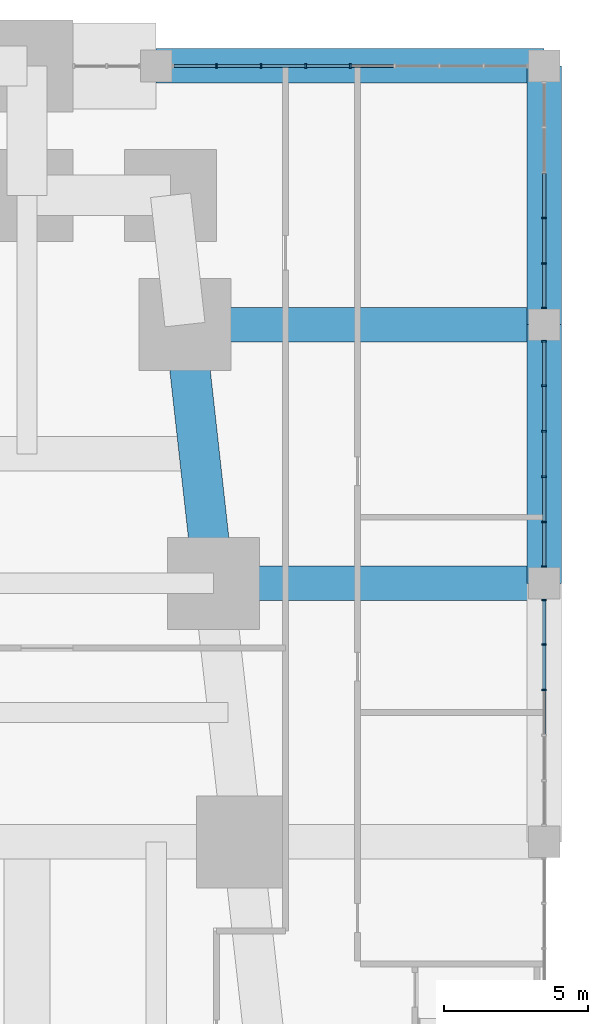
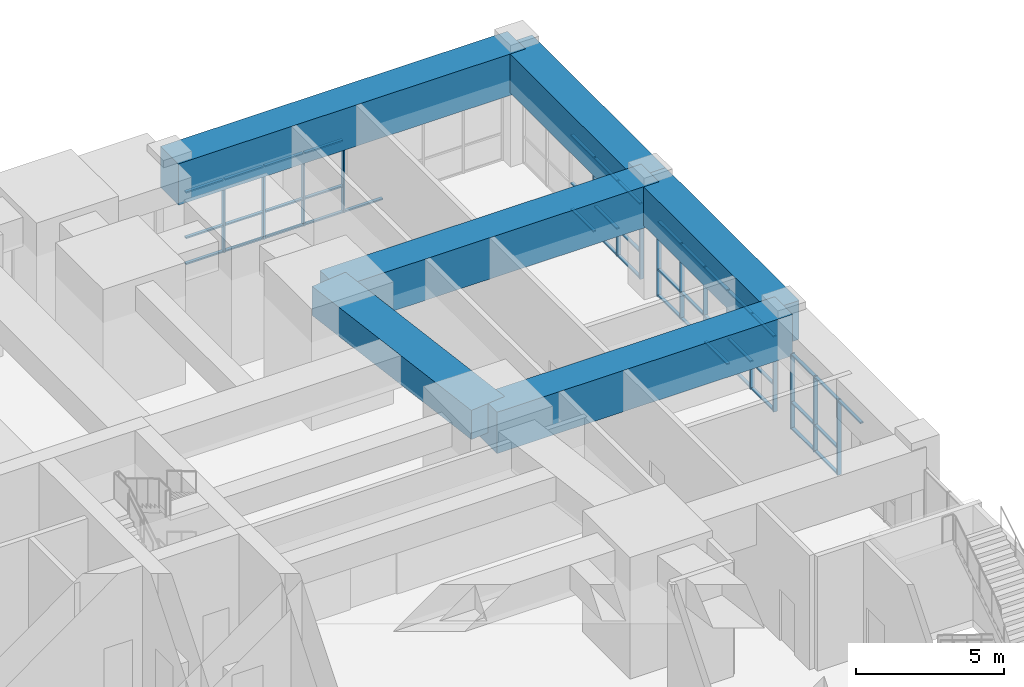
# One storey, part 15 of 27: 60 members, 6 beams, 4 elements without a shape of their own.
"""IFC4 building model written with IfcOpenShell, lengths in metres."""

from ifc_helpers import new_model, si_unit, direction, frame, origin, origin_2d, place, context, subcontext, project, spatial, rectangle, extrude, material, material_profile, profile_set, type_object, element, aggregate, save


model = new_model("IFC4")

# Units and contexts
model_context = context("Model", 3, precision=1e-05, world=origin(), true_north=direction((0.0, 1.0)))
body_context = subcontext(model_context, "Body", "Model", "MODEL_VIEW")
ifc_project = project(units=[si_unit("LENGTHUNIT", "METRE"), si_unit("AREAUNIT", "SQUARE_METRE"), si_unit("VOLUMEUNIT", "CUBIC_METRE"), si_unit("PLANEANGLEUNIT", "RADIAN"), si_unit("MASSUNIT", "GRAM", prefix="KILO")], contexts=[model_context])

# Site, building, storey
site_placement = place(None, origin())
site = spatial("IfcSite", under=ifc_project, at=site_placement, CompositionType="ELEMENT")
building_placement = place(site_placement, origin())
building = spatial("IfcBuilding", under=site, at=building_placement, Name="Kilele Tower Hotel", CompositionType="ELEMENT")
storey_placement = place(building_placement, frame((0.0, 0.0, 6.0)))
storey = spatial("IfcBuildingStorey", under=building, at=storey_placement, Name="L01", CompositionType="ELEMENT", Elevation=6.0)

# Beams
ifc_material_1 = material(Name="Concrete C60/75", Category="concrete")
ifc_material_profile_1 = material_profile(ifc_material_1, rectangle(XDim=1.199951171875, YDim=1.60009765625, at=origin_2d()))
ifc_profile_set_1 = profile_set([ifc_material_profile_1], Name="Concrete C60/75")
beam_type_1 = type_object("IfcBeamType", Name="Beam RC 1200x1600 C60/75", PredefinedType="BEAM", material=ifc_profile_set_1)
for number, where, z_axis, x_axis, name in (
    (1, (58.5, 22.5, 3.89990234375), (0.0, 1.0, 0.0), (-1.0, 0.0, 0.0), "Beam PB2 level L02"),
    (2, (58.5, 31.5, 3.89990234375), (0.0, 1.0, 0.0), (-1.0, 0.0, 0.0), "Beam PB2 level L02"),
):
    element("IfcBeam", number, at=place(storey_placement, frame(where, z_axis=z_axis, x_axis=x_axis)), inside=storey, type_object=beam_type_1, Name=name, PredefinedType="BEAM", context=body_context, shape_type="SweptSolid", body=[
        extrude(rectangle(XDim=1.199951171875, YDim=1.60009765625, at=origin_2d()), origin(), (0.0, 0.0, 1.0), 9.0),
    ])
ifc_material_2 = material(Name="Concrete C60/75", Category="concrete")
ifc_material_profile_2 = material_profile(ifc_material_2, rectangle(XDim=1.199951171875, YDim=1.699951171875, at=origin_2d()))
ifc_profile_set_2 = profile_set([ifc_material_profile_2], Name="Concrete C60/75")
beam_type_2 = type_object("IfcBeamType", Name="Beam RC 1200x1700 C60/75", PredefinedType="BEAM", material=ifc_profile_set_2)
beam_1_placement = place(storey_placement, frame((46.0, 31.5, 3.85009765625), z_axis=(1.0, 0.0, 0.0), x_axis=(0.0, 1.0, 0.0)))
element("IfcBeam", 3, at=beam_1_placement, inside=storey, type_object=beam_type_2, Name="Beam PB3 level L02", PredefinedType="BEAM", context=body_context, shape_type="SweptSolid", body=[
    extrude(rectangle(XDim=1.199951171875, YDim=1.699951171875, at=origin_2d()), origin(), (0.0, 0.0, 1.0), 12.5),
])
beam_2_placement = place(storey_placement, frame((45.0, 40.5, 3.85009765625), z_axis=(1.0, 0.0, 0.0), x_axis=(0.0, 1.0, 0.0)))
element("IfcBeam", 4, at=beam_2_placement, inside=storey, type_object=beam_type_2, Name="Beam PB3 level L02", PredefinedType="BEAM", context=body_context, shape_type="SweptSolid", body=[
    extrude(rectangle(XDim=1.199951171875, YDim=1.699951171875, at=origin_2d()), origin(), (0.0, 0.0, 1.0), 13.5),
])
ifc_material_3 = material(Name="Concrete C60/75", Category="concrete")
ifc_material_profile_3 = material_profile(ifc_material_3, rectangle(XDim=1.199951171875, YDim=1.699951171875, at=origin_2d()))
ifc_profile_set_3 = profile_set([ifc_material_profile_3], Name="Concrete C60/75")
beam_type_3 = type_object("IfcBeamType", Name="Beam RC 1200x1700 C60/75 mid span", PredefinedType="BEAM", material=ifc_profile_set_3)
beam_3_placement = place(storey_placement, frame((47.0, 22.5, 3.85009765625), z_axis=(1.0, 0.0, 0.0), x_axis=(0.0, 1.0, 0.0)))
element("IfcBeam", 5, at=beam_3_placement, inside=storey, type_object=beam_type_3, Name="Beam PB4 level L02", PredefinedType="BEAM", context=body_context, shape_type="SweptSolid", body=[
    extrude(rectangle(XDim=1.199951171875, YDim=1.699951171875, at=origin_2d()), origin(), (0.0, 0.0, 1.0), 11.5),
])

# Curtain wall, members
ifc_material_4 = material(Name="Aluminium curtain wall, clear double glazing", Category="aluminium")
curtain_wall_type_1 = type_object("IfcCurtainWallType", Name="Podium curtain wall CW-1", PredefinedType="NOTDEFINED", material=ifc_material_4)
curtain_wall_1_placement = place(storey_placement, origin())
curtain_wall_1 = element("IfcCurtainWall", 6, at=curtain_wall_1_placement, inside=storey, type_object=curtain_wall_type_1, Name="Podium curtain wall CW-1 L01", PredefinedType="NOTDEFINED")
ifc_material_5 = material(Name="Aluminium EN AW-6063 T6", Category="aluminium")
ifc_material_profile_4 = material_profile(ifc_material_5, rectangle(XDim=0.159912109375, YDim=0.06005859375, at=origin_2d()))
ifc_profile_set_4 = profile_set([ifc_material_profile_4], Name="Aluminium EN AW-6063 T6")
member_type_1 = type_object("IfcMemberType", Name="Mullion 60x160 CW-1", PredefinedType="MULLION", material=ifc_profile_set_4)
member_1_placement = place(storey_placement, frame((51.75, 40.5, 0.0), z_axis=(0.0, 0.0, 1.0), x_axis=(0.0, -1.0, 0.0)))
member_1 = element("IfcMember", 7, at=member_1_placement, type_object=member_type_1, Name="CW-1 mullion 5", PredefinedType="MULLION", context=body_context, shape_type="SweptSolid", body=[
    extrude(rectangle(XDim=0.159912109375, YDim=0.06005859375, at=origin_2d()), origin(), (0.0, 0.0, 1.0), 3.0),
])
member_2_placement = place(storey_placement, frame((50.199951171875, 40.5, 0.0), z_axis=(0.0, 0.0, 1.0), x_axis=(0.0, -1.0, 0.0)))
member_2 = element("IfcMember", 8, at=member_2_placement, type_object=member_type_1, Name="CW-1 mullion 6", PredefinedType="MULLION", context=body_context, shape_type="SweptSolid", body=[
    extrude(rectangle(XDim=0.159912109375, YDim=0.06005859375, at=origin_2d()), origin(), (0.0, 0.0, 1.0), 3.0),
])
member_3_placement = place(storey_placement, frame((48.64990234375, 40.5, 0.0), z_axis=(0.0, 0.0, 1.0), x_axis=(0.0, -1.0, 0.0)))
member_3 = element("IfcMember", 9, at=member_3_placement, type_object=member_type_1, Name="CW-1 mullion 7", PredefinedType="MULLION", context=body_context, shape_type="SweptSolid", body=[
    extrude(rectangle(XDim=0.159912109375, YDim=0.06005859375, at=origin_2d()), origin(), (0.0, 0.0, 1.0), 3.0),
])
member_4_placement = place(storey_placement, frame((47.10009765625, 40.5, 0.0), z_axis=(0.0, 0.0, 1.0), x_axis=(0.0, -1.0, 0.0)))
member_4 = element("IfcMember", 10, at=member_4_placement, type_object=member_type_1, Name="CW-1 mullion 8", PredefinedType="MULLION", context=body_context, shape_type="SweptSolid", body=[
    extrude(rectangle(XDim=0.159912109375, YDim=0.06005859375, at=origin_2d()), origin(), (0.0, 0.0, 1.0), 3.0),
])

ifc_material_6 = material(Name="Aluminium curtain wall, clear double glazing", Category="aluminium")
curtain_wall_type_2 = type_object("IfcCurtainWallType", Name="Podium side curtain wall CW-2", PredefinedType="NOTDEFINED", material=ifc_material_6)
curtain_wall_2_placement = place(storey_placement, origin())
curtain_wall_2 = element("IfcCurtainWall", 11, at=curtain_wall_2_placement, inside=storey, type_object=curtain_wall_type_2, Name="Podium side curtain wall CW-2 L01", PredefinedType="NOTDEFINED")
ifc_material_7 = material(Name="Aluminium EN AW-6063 T6", Category="aluminium")
ifc_material_profile_5 = material_profile(ifc_material_7, rectangle(XDim=0.159912109375, YDim=0.06005859375, at=origin_2d()))
ifc_profile_set_5 = profile_set([ifc_material_profile_5], Name="Aluminium EN AW-6063 T6")
member_type_2 = type_object("IfcMemberType", Name="Mullion 60x160 CW-2", PredefinedType="MULLION", material=ifc_profile_set_5)
member_5_placement = place(storey_placement, frame((58.5, 18.7900390625, 0.0), z_axis=(0.0, 0.0, 1.0), x_axis=(-1.0, 0.0, 0.0)))
member_5 = element("IfcMember", 12, at=member_5_placement, type_object=member_type_2, Name="CW-2 mullion 4", PredefinedType="MULLION", context=body_context, shape_type="SweptSolid", body=[
    extrude(rectangle(XDim=0.159912109375, YDim=0.06005859375, at=origin_2d()), origin(), (0.0, 0.0, 1.0), 3.10009765625),
])
member_6_placement = place(storey_placement, frame((58.5, 20.3701171875, 0.0), z_axis=(0.0, 0.0, 1.0), x_axis=(-1.0, 0.0, 0.0)))
member_6 = element("IfcMember", 13, at=member_6_placement, type_object=member_type_2, Name="CW-2 mullion 5", PredefinedType="MULLION", context=body_context, shape_type="SweptSolid", body=[
    extrude(rectangle(XDim=0.159912109375, YDim=0.06005859375, at=origin_2d()), origin(), (0.0, 0.0, 1.0), 3.10009765625),
])
member_7_placement = place(storey_placement, frame((58.5, 21.919921875, 0.0), z_axis=(0.0, 0.0, 1.0), x_axis=(-1.0, 0.0, 0.0)))
member_7 = element("IfcMember", 14, at=member_7_placement, type_object=member_type_2, Name="CW-2 mullion 6", PredefinedType="MULLION", context=body_context, shape_type="SweptSolid", body=[
    extrude(rectangle(XDim=0.159912109375, YDim=0.06005859375, at=origin_2d()), origin(), (0.0, 0.0, 1.0), 3.10009765625),
])

curtain_wall_3_placement = place(storey_placement, origin())
curtain_wall_3 = element("IfcCurtainWall", 15, at=curtain_wall_3_placement, inside=storey, type_object=curtain_wall_type_2, Name="Podium side curtain wall CW-2 L01", PredefinedType="NOTDEFINED")
member_8_placement = place(storey_placement, frame((58.5, 23.080078125, 0.0), z_axis=(0.0, 0.0, 1.0), x_axis=(-1.0, 0.0, 0.0)))
member_8 = element("IfcMember", 16, at=member_8_placement, type_object=member_type_2, Name="CW-2 mullion 1", PredefinedType="MULLION", context=body_context, shape_type="SweptSolid", body=[
    extrude(rectangle(XDim=0.159912109375, YDim=0.06005859375, at=origin_2d()), origin(), (0.0, 0.0, 1.0), 3.10009765625),
])
member_9_placement = place(storey_placement, frame((58.5, 24.6298828125, 0.0), z_axis=(0.0, 0.0, 1.0), x_axis=(-1.0, 0.0, 0.0)))
member_9 = element("IfcMember", 17, at=member_9_placement, type_object=member_type_2, Name="CW-2 mullion 2", PredefinedType="MULLION", context=body_context, shape_type="SweptSolid", body=[
    extrude(rectangle(XDim=0.159912109375, YDim=0.06005859375, at=origin_2d()), origin(), (0.0, 0.0, 1.0), 3.10009765625),
])
member_10_placement = place(storey_placement, frame((58.5, 26.2099609375, 0.0), z_axis=(0.0, 0.0, 1.0), x_axis=(-1.0, 0.0, 0.0)))
member_10 = element("IfcMember", 18, at=member_10_placement, type_object=member_type_2, Name="CW-2 mullion 3", PredefinedType="MULLION", context=body_context, shape_type="SweptSolid", body=[
    extrude(rectangle(XDim=0.159912109375, YDim=0.06005859375, at=origin_2d()), origin(), (0.0, 0.0, 1.0), 3.10009765625),
])
member_11_placement = place(storey_placement, frame((58.5, 27.7900390625, 0.0), z_axis=(0.0, 0.0, 1.0), x_axis=(-1.0, 0.0, 0.0)))
member_11 = element("IfcMember", 19, at=member_11_placement, type_object=member_type_2, Name="CW-2 mullion 4", PredefinedType="MULLION", context=body_context, shape_type="SweptSolid", body=[
    extrude(rectangle(XDim=0.159912109375, YDim=0.06005859375, at=origin_2d()), origin(), (0.0, 0.0, 1.0), 3.10009765625),
])
member_12_placement = place(storey_placement, frame((58.5, 29.3701171875, 0.0), z_axis=(0.0, 0.0, 1.0), x_axis=(-1.0, 0.0, 0.0)))
member_12 = element("IfcMember", 20, at=member_12_placement, type_object=member_type_2, Name="CW-2 mullion 5", PredefinedType="MULLION", context=body_context, shape_type="SweptSolid", body=[
    extrude(rectangle(XDim=0.159912109375, YDim=0.06005859375, at=origin_2d()), origin(), (0.0, 0.0, 1.0), 3.10009765625),
])
member_13_placement = place(storey_placement, frame((58.5, 30.919921875, 0.0), z_axis=(0.0, 0.0, 1.0), x_axis=(-1.0, 0.0, 0.0)))
member_13 = element("IfcMember", 21, at=member_13_placement, type_object=member_type_2, Name="CW-2 mullion 6", PredefinedType="MULLION", context=body_context, shape_type="SweptSolid", body=[
    extrude(rectangle(XDim=0.159912109375, YDim=0.06005859375, at=origin_2d()), origin(), (0.0, 0.0, 1.0), 3.10009765625),
])

curtain_wall_4_placement = place(storey_placement, origin())
curtain_wall_4 = element("IfcCurtainWall", 22, at=curtain_wall_4_placement, inside=storey, type_object=curtain_wall_type_2, Name="Podium side curtain wall CW-2 L01", PredefinedType="NOTDEFINED")
member_14_placement = place(storey_placement, frame((58.5, 32.080078125, 0.0), z_axis=(0.0, 0.0, 1.0), x_axis=(-1.0, 0.0, 0.0)))
member_14 = element("IfcMember", 23, at=member_14_placement, type_object=member_type_2, Name="CW-2 mullion 1", PredefinedType="MULLION", context=body_context, shape_type="SweptSolid", body=[
    extrude(rectangle(XDim=0.159912109375, YDim=0.06005859375, at=origin_2d()), origin(), (0.0, 0.0, 1.0), 3.10009765625),
])
member_15_placement = place(storey_placement, frame((58.5, 33.6298828125, 0.0), z_axis=(0.0, 0.0, 1.0), x_axis=(-1.0, 0.0, 0.0)))
member_15 = element("IfcMember", 24, at=member_15_placement, type_object=member_type_2, Name="CW-2 mullion 2", PredefinedType="MULLION", context=body_context, shape_type="SweptSolid", body=[
    extrude(rectangle(XDim=0.159912109375, YDim=0.06005859375, at=origin_2d()), origin(), (0.0, 0.0, 1.0), 3.10009765625),
])
member_16_placement = place(storey_placement, frame((58.5, 35.2099609375, 0.0), z_axis=(0.0, 0.0, 1.0), x_axis=(-1.0, 0.0, 0.0)))
member_16 = element("IfcMember", 25, at=member_16_placement, type_object=member_type_2, Name="CW-2 mullion 3", PredefinedType="MULLION", context=body_context, shape_type="SweptSolid", body=[
    extrude(rectangle(XDim=0.159912109375, YDim=0.06005859375, at=origin_2d()), origin(), (0.0, 0.0, 1.0), 3.10009765625),
])

# Beam
ifc_material_8 = material(Name="Concrete C60/75", Category="concrete")
ifc_material_profile_6 = material_profile(ifc_material_8, rectangle(XDim=1.39990234375, YDim=1.199951171875, at=origin_2d()))
ifc_profile_set_6 = profile_set([ifc_material_profile_6], Name="Concrete C60/75")
beam_type_4 = type_object("IfcBeamType", Name="Spandrel RC 1400x1200 C60/75", PredefinedType="SPANDREL", material=ifc_profile_set_6)
beam_4_placement = place(storey_placement, frame((47.0, 22.5, 4.10009765625), z_axis=(-0.110431526075, 0.993883734674, 0.0), x_axis=(-0.993883734674, -0.110431526075, 0.0)))
element("IfcBeam", 26, at=beam_4_placement, inside=storey, type_object=beam_type_4, Name="Spandrel SP10 level L02", PredefinedType="SPANDREL", context=body_context, shape_type="SweptSolid", body=[
    extrude(rectangle(XDim=1.39990234375, YDim=1.199951171875, at=origin_2d()), origin(), (0.0, 0.0, 1.0), 9.055419921875),
])

# Member
ifc_material_9 = material(Name="Aluminium EN AW-6063 T6", Category="aluminium")
ifc_material_profile_7 = material_profile(ifc_material_9, rectangle(XDim=0.1201171875, YDim=0.06005859375, at=origin_2d()))
ifc_profile_set_7 = profile_set([ifc_material_profile_7], Name="Aluminium EN AW-6063 T6")
member_type_3 = type_object("IfcMemberType", Name="Transom 60x120 CW-1", PredefinedType="USERDEFINED", material=ifc_profile_set_7)
member_17_placement = place(storey_placement, frame((53.27001953125, 40.5, 0.030029296875), z_axis=(-1.0, 0.0, 0.0), x_axis=(0.0, -1.0, 0.0)))
member_17 = element("IfcMember", 27, at=member_17_placement, type_object=member_type_3, Name="CW-1 transom 4.1", ObjectType="TRANSOM", PredefinedType="USERDEFINED", context=body_context, shape_type="SweptSolid", body=[
    extrude(rectangle(XDim=0.1201171875, YDim=0.06005859375, at=origin_2d()), origin(), (0.0, 0.0, 1.0), 1.489990234375),
])

member_18_placement = place(storey_placement, frame((51.719970703125, 40.5, 0.030029296875), z_axis=(-1.0, 0.0, 0.0), x_axis=(0.0, -1.0, 0.0)))
member_18 = element("IfcMember", 28, at=member_18_placement, type_object=member_type_3, Name="CW-1 transom 5.1", ObjectType="TRANSOM", PredefinedType="USERDEFINED", context=body_context, shape_type="SweptSolid", body=[
    extrude(rectangle(XDim=0.1201171875, YDim=0.06005859375, at=origin_2d()), origin(), (0.0, 0.0, 1.0), 1.489990234375),
])

member_19_placement = place(storey_placement, frame((51.719970703125, 40.5, 1.10009765625), z_axis=(-1.0, 0.0, 0.0), x_axis=(0.0, -1.0, 0.0)))
member_19 = element("IfcMember", 29, at=member_19_placement, type_object=member_type_3, Name="CW-1 transom 5.2", ObjectType="TRANSOM", PredefinedType="USERDEFINED", context=body_context, shape_type="SweptSolid", body=[
    extrude(rectangle(XDim=0.1201171875, YDim=0.06005859375, at=origin_2d()), origin(), (0.0, 0.0, 1.0), 1.489990234375),
])

member_20_placement = place(storey_placement, frame((51.719970703125, 40.5, 2.969970703125), z_axis=(-1.0, 0.0, 0.0), x_axis=(0.0, -1.0, 0.0)))
member_20 = element("IfcMember", 30, at=member_20_placement, type_object=member_type_3, Name="CW-1 transom 5.3", ObjectType="TRANSOM", PredefinedType="USERDEFINED", context=body_context, shape_type="SweptSolid", body=[
    extrude(rectangle(XDim=0.1201171875, YDim=0.06005859375, at=origin_2d()), origin(), (0.0, 0.0, 1.0), 1.489990234375),
])

member_21_placement = place(storey_placement, frame((50.169921875, 40.5, 0.030029296875), z_axis=(-1.0, 0.0, 0.0), x_axis=(0.0, -1.0, 0.0)))
member_21 = element("IfcMember", 31, at=member_21_placement, type_object=member_type_3, Name="CW-1 transom 6.1", ObjectType="TRANSOM", PredefinedType="USERDEFINED", context=body_context, shape_type="SweptSolid", body=[
    extrude(rectangle(XDim=0.1201171875, YDim=0.06005859375, at=origin_2d()), origin(), (0.0, 0.0, 1.0), 1.489990234375),
])

member_22_placement = place(storey_placement, frame((50.169921875, 40.5, 1.10009765625), z_axis=(-1.0, 0.0, 0.0), x_axis=(0.0, -1.0, 0.0)))
member_22 = element("IfcMember", 32, at=member_22_placement, type_object=member_type_3, Name="CW-1 transom 6.2", ObjectType="TRANSOM", PredefinedType="USERDEFINED", context=body_context, shape_type="SweptSolid", body=[
    extrude(rectangle(XDim=0.1201171875, YDim=0.06005859375, at=origin_2d()), origin(), (0.0, 0.0, 1.0), 1.489990234375),
])

member_23_placement = place(storey_placement, frame((50.169921875, 40.5, 2.969970703125), z_axis=(-1.0, 0.0, 0.0), x_axis=(0.0, -1.0, 0.0)))
member_23 = element("IfcMember", 33, at=member_23_placement, type_object=member_type_3, Name="CW-1 transom 6.3", ObjectType="TRANSOM", PredefinedType="USERDEFINED", context=body_context, shape_type="SweptSolid", body=[
    extrude(rectangle(XDim=0.1201171875, YDim=0.06005859375, at=origin_2d()), origin(), (0.0, 0.0, 1.0), 1.489990234375),
])

member_24_placement = place(storey_placement, frame((48.6201171875, 40.5, 0.030029296875), z_axis=(-1.0, 0.0, 0.0), x_axis=(0.0, -1.0, 0.0)))
member_24 = element("IfcMember", 34, at=member_24_placement, type_object=member_type_3, Name="CW-1 transom 7.1", ObjectType="TRANSOM", PredefinedType="USERDEFINED", context=body_context, shape_type="SweptSolid", body=[
    extrude(rectangle(XDim=0.1201171875, YDim=0.06005859375, at=origin_2d()), origin(), (0.0, 0.0, 1.0), 1.490234375),
])

member_25_placement = place(storey_placement, frame((48.6201171875, 40.5, 1.10009765625), z_axis=(-1.0, 0.0, 0.0), x_axis=(0.0, -1.0, 0.0)))
member_25 = element("IfcMember", 35, at=member_25_placement, type_object=member_type_3, Name="CW-1 transom 7.2", ObjectType="TRANSOM", PredefinedType="USERDEFINED", context=body_context, shape_type="SweptSolid", body=[
    extrude(rectangle(XDim=0.1201171875, YDim=0.06005859375, at=origin_2d()), origin(), (0.0, 0.0, 1.0), 1.490234375),
])

member_26_placement = place(storey_placement, frame((48.6201171875, 40.5, 2.969970703125), z_axis=(-1.0, 0.0, 0.0), x_axis=(0.0, -1.0, 0.0)))
member_26 = element("IfcMember", 36, at=member_26_placement, type_object=member_type_3, Name="CW-1 transom 7.3", ObjectType="TRANSOM", PredefinedType="USERDEFINED", context=body_context, shape_type="SweptSolid", body=[
    extrude(rectangle(XDim=0.1201171875, YDim=0.06005859375, at=origin_2d()), origin(), (0.0, 0.0, 1.0), 1.490234375),
])

member_27_placement = place(storey_placement, frame((47.070068359375, 40.5, 0.030029296875), z_axis=(-1.0, 0.0, 0.0), x_axis=(0.0, -1.0, 0.0)))
member_27 = element("IfcMember", 37, at=member_27_placement, type_object=member_type_3, Name="CW-1 transom 8.1", ObjectType="TRANSOM", PredefinedType="USERDEFINED", context=body_context, shape_type="SweptSolid", body=[
    extrude(rectangle(XDim=0.1201171875, YDim=0.06005859375, at=origin_2d()), origin(), (0.0, 0.0, 1.0), 1.4599609375),
])

member_28_placement = place(storey_placement, frame((47.070068359375, 40.5, 1.10009765625), z_axis=(-1.0, 0.0, 0.0), x_axis=(0.0, -1.0, 0.0)))
member_28 = element("IfcMember", 38, at=member_28_placement, type_object=member_type_3, Name="CW-1 transom 8.2", ObjectType="TRANSOM", PredefinedType="USERDEFINED", context=body_context, shape_type="SweptSolid", body=[
    extrude(rectangle(XDim=0.1201171875, YDim=0.06005859375, at=origin_2d()), origin(), (0.0, 0.0, 1.0), 1.4599609375),
])

member_29_placement = place(storey_placement, frame((47.070068359375, 40.5, 2.969970703125), z_axis=(-1.0, 0.0, 0.0), x_axis=(0.0, -1.0, 0.0)))
member_29 = element("IfcMember", 39, at=member_29_placement, type_object=member_type_3, Name="CW-1 transom 8.3", ObjectType="TRANSOM", PredefinedType="USERDEFINED", context=body_context, shape_type="SweptSolid", body=[
    extrude(rectangle(XDim=0.1201171875, YDim=0.06005859375, at=origin_2d()), origin(), (0.0, 0.0, 1.0), 1.4599609375),
])

aggregate(curtain_wall_1, [member_1, member_2, member_3, member_4, member_17, member_18, member_19, member_20, member_21, member_22, member_23, member_24, member_25, member_26, member_27, member_28, member_29])

ifc_material_10 = material(Name="Aluminium EN AW-6063 T6", Category="aluminium")
ifc_material_profile_8 = material_profile(ifc_material_10, rectangle(XDim=0.1201171875, YDim=0.06005859375, at=origin_2d()))
ifc_profile_set_8 = profile_set([ifc_material_profile_8], Name="Aluminium EN AW-6063 T6")
member_type_4 = type_object("IfcMemberType", Name="Transom 60x120 CW-2", PredefinedType="USERDEFINED", material=ifc_profile_set_8)
member_30_placement = place(storey_placement, frame((58.5, 17.239990234375, 3.070068359375), z_axis=(0.0, 1.0, 0.0), x_axis=(-1.0, 0.0, 0.0)))
member_30 = element("IfcMember", 40, at=member_30_placement, type_object=member_type_4, Name="CW-2 transom 3.3", ObjectType="TRANSOM", PredefinedType="USERDEFINED", context=body_context, shape_type="SweptSolid", body=[
    extrude(rectangle(XDim=0.1201171875, YDim=0.06005859375, at=origin_2d()), origin(), (0.0, 0.0, 1.0), 1.52001953125),
])

member_31_placement = place(storey_placement, frame((58.5, 18.820068359375, 0.030029296875), z_axis=(0.0, 1.0, 0.0), x_axis=(-1.0, 0.0, 0.0)))
member_31 = element("IfcMember", 41, at=member_31_placement, type_object=member_type_4, Name="CW-2 transom 4.1", ObjectType="TRANSOM", PredefinedType="USERDEFINED", context=body_context, shape_type="SweptSolid", body=[
    extrude(rectangle(XDim=0.1201171875, YDim=0.06005859375, at=origin_2d()), origin(), (0.0, 0.0, 1.0), 1.52001953125),
])

member_32_placement = place(storey_placement, frame((58.5, 18.820068359375, 1.10009765625), z_axis=(0.0, 1.0, 0.0), x_axis=(-1.0, 0.0, 0.0)))
member_32 = element("IfcMember", 42, at=member_32_placement, type_object=member_type_4, Name="CW-2 transom 4.2", ObjectType="TRANSOM", PredefinedType="USERDEFINED", context=body_context, shape_type="SweptSolid", body=[
    extrude(rectangle(XDim=0.1201171875, YDim=0.06005859375, at=origin_2d()), origin(), (0.0, 0.0, 1.0), 1.52001953125),
])

member_33_placement = place(storey_placement, frame((58.5, 18.820068359375, 3.070068359375), z_axis=(0.0, 1.0, 0.0), x_axis=(-1.0, 0.0, 0.0)))
member_33 = element("IfcMember", 43, at=member_33_placement, type_object=member_type_4, Name="CW-2 transom 4.3", ObjectType="TRANSOM", PredefinedType="USERDEFINED", context=body_context, shape_type="SweptSolid", body=[
    extrude(rectangle(XDim=0.1201171875, YDim=0.06005859375, at=origin_2d()), origin(), (0.0, 0.0, 1.0), 1.52001953125),
])

member_34_placement = place(storey_placement, frame((58.5, 20.39990234375, 0.030029296875), z_axis=(0.0, 1.0, 0.0), x_axis=(-1.0, 0.0, 0.0)))
member_34 = element("IfcMember", 44, at=member_34_placement, type_object=member_type_4, Name="CW-2 transom 5.1", ObjectType="TRANSOM", PredefinedType="USERDEFINED", context=body_context, shape_type="SweptSolid", body=[
    extrude(rectangle(XDim=0.1201171875, YDim=0.06005859375, at=origin_2d()), origin(), (0.0, 0.0, 1.0), 1.489990234375),
])

member_35_placement = place(storey_placement, frame((58.5, 20.39990234375, 1.10009765625), z_axis=(0.0, 1.0, 0.0), x_axis=(-1.0, 0.0, 0.0)))
member_35 = element("IfcMember", 45, at=member_35_placement, type_object=member_type_4, Name="CW-2 transom 5.2", ObjectType="TRANSOM", PredefinedType="USERDEFINED", context=body_context, shape_type="SweptSolid", body=[
    extrude(rectangle(XDim=0.1201171875, YDim=0.06005859375, at=origin_2d()), origin(), (0.0, 0.0, 1.0), 1.489990234375),
])

member_36_placement = place(storey_placement, frame((58.5, 20.39990234375, 3.070068359375), z_axis=(0.0, 1.0, 0.0), x_axis=(-1.0, 0.0, 0.0)))
member_36 = element("IfcMember", 46, at=member_36_placement, type_object=member_type_4, Name="CW-2 transom 5.3", ObjectType="TRANSOM", PredefinedType="USERDEFINED", context=body_context, shape_type="SweptSolid", body=[
    extrude(rectangle(XDim=0.1201171875, YDim=0.06005859375, at=origin_2d()), origin(), (0.0, 0.0, 1.0), 1.489990234375),
])

aggregate(curtain_wall_2, [member_5, member_6, member_7, member_30, member_31, member_32, member_33, member_34, member_35, member_36])

member_37_placement = place(storey_placement, frame((58.5, 23.110107421875, 0.030029296875), z_axis=(0.0, 1.0, 0.0), x_axis=(-1.0, 0.0, 0.0)))
member_37 = element("IfcMember", 47, at=member_37_placement, type_object=member_type_4, Name="CW-2 transom 1.1", ObjectType="TRANSOM", PredefinedType="USERDEFINED", context=body_context, shape_type="SweptSolid", body=[
    extrude(rectangle(XDim=0.1201171875, YDim=0.06005859375, at=origin_2d()), origin(), (0.0, 0.0, 1.0), 1.489990234375),
])

member_38_placement = place(storey_placement, frame((58.5, 23.110107421875, 1.10009765625), z_axis=(0.0, 1.0, 0.0), x_axis=(-1.0, 0.0, 0.0)))
member_38 = element("IfcMember", 48, at=member_38_placement, type_object=member_type_4, Name="CW-2 transom 1.2", ObjectType="TRANSOM", PredefinedType="USERDEFINED", context=body_context, shape_type="SweptSolid", body=[
    extrude(rectangle(XDim=0.1201171875, YDim=0.06005859375, at=origin_2d()), origin(), (0.0, 0.0, 1.0), 1.489990234375),
])

member_39_placement = place(storey_placement, frame((58.5, 23.110107421875, 3.070068359375), z_axis=(0.0, 1.0, 0.0), x_axis=(-1.0, 0.0, 0.0)))
member_39 = element("IfcMember", 49, at=member_39_placement, type_object=member_type_4, Name="CW-2 transom 1.3", ObjectType="TRANSOM", PredefinedType="USERDEFINED", context=body_context, shape_type="SweptSolid", body=[
    extrude(rectangle(XDim=0.1201171875, YDim=0.06005859375, at=origin_2d()), origin(), (0.0, 0.0, 1.0), 1.489990234375),
])

member_40_placement = place(storey_placement, frame((58.5, 24.659912109375, 0.030029296875), z_axis=(0.0, 1.0, 0.0), x_axis=(-1.0, 0.0, 0.0)))
member_40 = element("IfcMember", 50, at=member_40_placement, type_object=member_type_4, Name="CW-2 transom 2.1", ObjectType="TRANSOM", PredefinedType="USERDEFINED", context=body_context, shape_type="SweptSolid", body=[
    extrude(rectangle(XDim=0.1201171875, YDim=0.06005859375, at=origin_2d()), origin(), (0.0, 0.0, 1.0), 1.52001953125),
])

member_41_placement = place(storey_placement, frame((58.5, 24.659912109375, 1.10009765625), z_axis=(0.0, 1.0, 0.0), x_axis=(-1.0, 0.0, 0.0)))
member_41 = element("IfcMember", 51, at=member_41_placement, type_object=member_type_4, Name="CW-2 transom 2.2", ObjectType="TRANSOM", PredefinedType="USERDEFINED", context=body_context, shape_type="SweptSolid", body=[
    extrude(rectangle(XDim=0.1201171875, YDim=0.06005859375, at=origin_2d()), origin(), (0.0, 0.0, 1.0), 1.52001953125),
])

member_42_placement = place(storey_placement, frame((58.5, 24.659912109375, 3.070068359375), z_axis=(0.0, 1.0, 0.0), x_axis=(-1.0, 0.0, 0.0)))
member_42 = element("IfcMember", 52, at=member_42_placement, type_object=member_type_4, Name="CW-2 transom 2.3", ObjectType="TRANSOM", PredefinedType="USERDEFINED", context=body_context, shape_type="SweptSolid", body=[
    extrude(rectangle(XDim=0.1201171875, YDim=0.06005859375, at=origin_2d()), origin(), (0.0, 0.0, 1.0), 1.52001953125),
])

member_43_placement = place(storey_placement, frame((58.5, 26.239990234375, 0.030029296875), z_axis=(0.0, 1.0, 0.0), x_axis=(-1.0, 0.0, 0.0)))
member_43 = element("IfcMember", 53, at=member_43_placement, type_object=member_type_4, Name="CW-2 transom 3.1", ObjectType="TRANSOM", PredefinedType="USERDEFINED", context=body_context, shape_type="SweptSolid", body=[
    extrude(rectangle(XDim=0.1201171875, YDim=0.06005859375, at=origin_2d()), origin(), (0.0, 0.0, 1.0), 1.52001953125),
])

member_44_placement = place(storey_placement, frame((58.5, 26.239990234375, 1.10009765625), z_axis=(0.0, 1.0, 0.0), x_axis=(-1.0, 0.0, 0.0)))
member_44 = element("IfcMember", 54, at=member_44_placement, type_object=member_type_4, Name="CW-2 transom 3.2", ObjectType="TRANSOM", PredefinedType="USERDEFINED", context=body_context, shape_type="SweptSolid", body=[
    extrude(rectangle(XDim=0.1201171875, YDim=0.06005859375, at=origin_2d()), origin(), (0.0, 0.0, 1.0), 1.52001953125),
])

member_45_placement = place(storey_placement, frame((58.5, 26.239990234375, 3.070068359375), z_axis=(0.0, 1.0, 0.0), x_axis=(-1.0, 0.0, 0.0)))
member_45 = element("IfcMember", 55, at=member_45_placement, type_object=member_type_4, Name="CW-2 transom 3.3", ObjectType="TRANSOM", PredefinedType="USERDEFINED", context=body_context, shape_type="SweptSolid", body=[
    extrude(rectangle(XDim=0.1201171875, YDim=0.06005859375, at=origin_2d()), origin(), (0.0, 0.0, 1.0), 1.52001953125),
])

member_46_placement = place(storey_placement, frame((58.5, 27.820068359375, 0.030029296875), z_axis=(0.0, 1.0, 0.0), x_axis=(-1.0, 0.0, 0.0)))
member_46 = element("IfcMember", 56, at=member_46_placement, type_object=member_type_4, Name="CW-2 transom 4.1", ObjectType="TRANSOM", PredefinedType="USERDEFINED", context=body_context, shape_type="SweptSolid", body=[
    extrude(rectangle(XDim=0.1201171875, YDim=0.06005859375, at=origin_2d()), origin(), (0.0, 0.0, 1.0), 1.52001953125),
])

member_47_placement = place(storey_placement, frame((58.5, 27.820068359375, 1.10009765625), z_axis=(0.0, 1.0, 0.0), x_axis=(-1.0, 0.0, 0.0)))
member_47 = element("IfcMember", 57, at=member_47_placement, type_object=member_type_4, Name="CW-2 transom 4.2", ObjectType="TRANSOM", PredefinedType="USERDEFINED", context=body_context, shape_type="SweptSolid", body=[
    extrude(rectangle(XDim=0.1201171875, YDim=0.06005859375, at=origin_2d()), origin(), (0.0, 0.0, 1.0), 1.52001953125),
])

member_48_placement = place(storey_placement, frame((58.5, 27.820068359375, 3.070068359375), z_axis=(0.0, 1.0, 0.0), x_axis=(-1.0, 0.0, 0.0)))
member_48 = element("IfcMember", 58, at=member_48_placement, type_object=member_type_4, Name="CW-2 transom 4.3", ObjectType="TRANSOM", PredefinedType="USERDEFINED", context=body_context, shape_type="SweptSolid", body=[
    extrude(rectangle(XDim=0.1201171875, YDim=0.06005859375, at=origin_2d()), origin(), (0.0, 0.0, 1.0), 1.52001953125),
])

member_49_placement = place(storey_placement, frame((58.5, 29.39990234375, 0.030029296875), z_axis=(0.0, 1.0, 0.0), x_axis=(-1.0, 0.0, 0.0)))
member_49 = element("IfcMember", 59, at=member_49_placement, type_object=member_type_4, Name="CW-2 transom 5.1", ObjectType="TRANSOM", PredefinedType="USERDEFINED", context=body_context, shape_type="SweptSolid", body=[
    extrude(rectangle(XDim=0.1201171875, YDim=0.06005859375, at=origin_2d()), origin(), (0.0, 0.0, 1.0), 1.489990234375),
])

member_50_placement = place(storey_placement, frame((58.5, 29.39990234375, 1.10009765625), z_axis=(0.0, 1.0, 0.0), x_axis=(-1.0, 0.0, 0.0)))
member_50 = element("IfcMember", 60, at=member_50_placement, type_object=member_type_4, Name="CW-2 transom 5.2", ObjectType="TRANSOM", PredefinedType="USERDEFINED", context=body_context, shape_type="SweptSolid", body=[
    extrude(rectangle(XDim=0.1201171875, YDim=0.06005859375, at=origin_2d()), origin(), (0.0, 0.0, 1.0), 1.489990234375),
])

member_51_placement = place(storey_placement, frame((58.5, 29.39990234375, 3.070068359375), z_axis=(0.0, 1.0, 0.0), x_axis=(-1.0, 0.0, 0.0)))
member_51 = element("IfcMember", 61, at=member_51_placement, type_object=member_type_4, Name="CW-2 transom 5.3", ObjectType="TRANSOM", PredefinedType="USERDEFINED", context=body_context, shape_type="SweptSolid", body=[
    extrude(rectangle(XDim=0.1201171875, YDim=0.06005859375, at=origin_2d()), origin(), (0.0, 0.0, 1.0), 1.489990234375),
])

aggregate(curtain_wall_3, [member_8, member_9, member_10, member_11, member_12, member_13, member_37, member_38, member_39, member_40, member_41, member_42, member_43, member_44, member_45, member_46, member_47, member_48, member_49, member_50, member_51])

member_52_placement = place(storey_placement, frame((58.5, 32.110107421875, 0.030029296875), z_axis=(0.0, 1.0, 0.0), x_axis=(-1.0, 0.0, 0.0)))
member_52 = element("IfcMember", 62, at=member_52_placement, type_object=member_type_4, Name="CW-2 transom 1.1", ObjectType="TRANSOM", PredefinedType="USERDEFINED", context=body_context, shape_type="SweptSolid", body=[
    extrude(rectangle(XDim=0.1201171875, YDim=0.06005859375, at=origin_2d()), origin(), (0.0, 0.0, 1.0), 1.489990234375),
])

member_53_placement = place(storey_placement, frame((58.5, 32.110107421875, 1.10009765625), z_axis=(0.0, 1.0, 0.0), x_axis=(-1.0, 0.0, 0.0)))
member_53 = element("IfcMember", 63, at=member_53_placement, type_object=member_type_4, Name="CW-2 transom 1.2", ObjectType="TRANSOM", PredefinedType="USERDEFINED", context=body_context, shape_type="SweptSolid", body=[
    extrude(rectangle(XDim=0.1201171875, YDim=0.06005859375, at=origin_2d()), origin(), (0.0, 0.0, 1.0), 1.489990234375),
])

member_54_placement = place(storey_placement, frame((58.5, 32.110107421875, 3.070068359375), z_axis=(0.0, 1.0, 0.0), x_axis=(-1.0, 0.0, 0.0)))
member_54 = element("IfcMember", 64, at=member_54_placement, type_object=member_type_4, Name="CW-2 transom 1.3", ObjectType="TRANSOM", PredefinedType="USERDEFINED", context=body_context, shape_type="SweptSolid", body=[
    extrude(rectangle(XDim=0.1201171875, YDim=0.06005859375, at=origin_2d()), origin(), (0.0, 0.0, 1.0), 1.489990234375),
])

member_55_placement = place(storey_placement, frame((58.5, 33.659912109375, 0.030029296875), z_axis=(0.0, 1.0, 0.0), x_axis=(-1.0, 0.0, 0.0)))
member_55 = element("IfcMember", 65, at=member_55_placement, type_object=member_type_4, Name="CW-2 transom 2.1", ObjectType="TRANSOM", PredefinedType="USERDEFINED", context=body_context, shape_type="SweptSolid", body=[
    extrude(rectangle(XDim=0.1201171875, YDim=0.06005859375, at=origin_2d()), origin(), (0.0, 0.0, 1.0), 1.52001953125),
])

member_56_placement = place(storey_placement, frame((58.5, 33.659912109375, 1.10009765625), z_axis=(0.0, 1.0, 0.0), x_axis=(-1.0, 0.0, 0.0)))
member_56 = element("IfcMember", 66, at=member_56_placement, type_object=member_type_4, Name="CW-2 transom 2.2", ObjectType="TRANSOM", PredefinedType="USERDEFINED", context=body_context, shape_type="SweptSolid", body=[
    extrude(rectangle(XDim=0.1201171875, YDim=0.06005859375, at=origin_2d()), origin(), (0.0, 0.0, 1.0), 1.52001953125),
])

member_57_placement = place(storey_placement, frame((58.5, 33.659912109375, 3.070068359375), z_axis=(0.0, 1.0, 0.0), x_axis=(-1.0, 0.0, 0.0)))
member_57 = element("IfcMember", 67, at=member_57_placement, type_object=member_type_4, Name="CW-2 transom 2.3", ObjectType="TRANSOM", PredefinedType="USERDEFINED", context=body_context, shape_type="SweptSolid", body=[
    extrude(rectangle(XDim=0.1201171875, YDim=0.06005859375, at=origin_2d()), origin(), (0.0, 0.0, 1.0), 1.52001953125),
])

member_58_placement = place(storey_placement, frame((58.5, 35.239990234375, 0.030029296875), z_axis=(0.0, 1.0, 0.0), x_axis=(-1.0, 0.0, 0.0)))
member_58 = element("IfcMember", 68, at=member_58_placement, type_object=member_type_4, Name="CW-2 transom 3.1", ObjectType="TRANSOM", PredefinedType="USERDEFINED", context=body_context, shape_type="SweptSolid", body=[
    extrude(rectangle(XDim=0.1201171875, YDim=0.06005859375, at=origin_2d()), origin(), (0.0, 0.0, 1.0), 1.52001953125),
])

member_59_placement = place(storey_placement, frame((58.5, 35.239990234375, 1.10009765625), z_axis=(0.0, 1.0, 0.0), x_axis=(-1.0, 0.0, 0.0)))
member_59 = element("IfcMember", 69, at=member_59_placement, type_object=member_type_4, Name="CW-2 transom 3.2", ObjectType="TRANSOM", PredefinedType="USERDEFINED", context=body_context, shape_type="SweptSolid", body=[
    extrude(rectangle(XDim=0.1201171875, YDim=0.06005859375, at=origin_2d()), origin(), (0.0, 0.0, 1.0), 1.52001953125),
])

member_60_placement = place(storey_placement, frame((58.5, 35.239990234375, 3.070068359375), z_axis=(0.0, 1.0, 0.0), x_axis=(-1.0, 0.0, 0.0)))
member_60 = element("IfcMember", 70, at=member_60_placement, type_object=member_type_4, Name="CW-2 transom 3.3", ObjectType="TRANSOM", PredefinedType="USERDEFINED", context=body_context, shape_type="SweptSolid", body=[
    extrude(rectangle(XDim=0.1201171875, YDim=0.06005859375, at=origin_2d()), origin(), (0.0, 0.0, 1.0), 1.52001953125),
])

aggregate(curtain_wall_4, [member_14, member_15, member_16, member_52, member_53, member_54, member_55, member_56, member_57, member_58, member_59, member_60])

save(model, "model.ifc")
